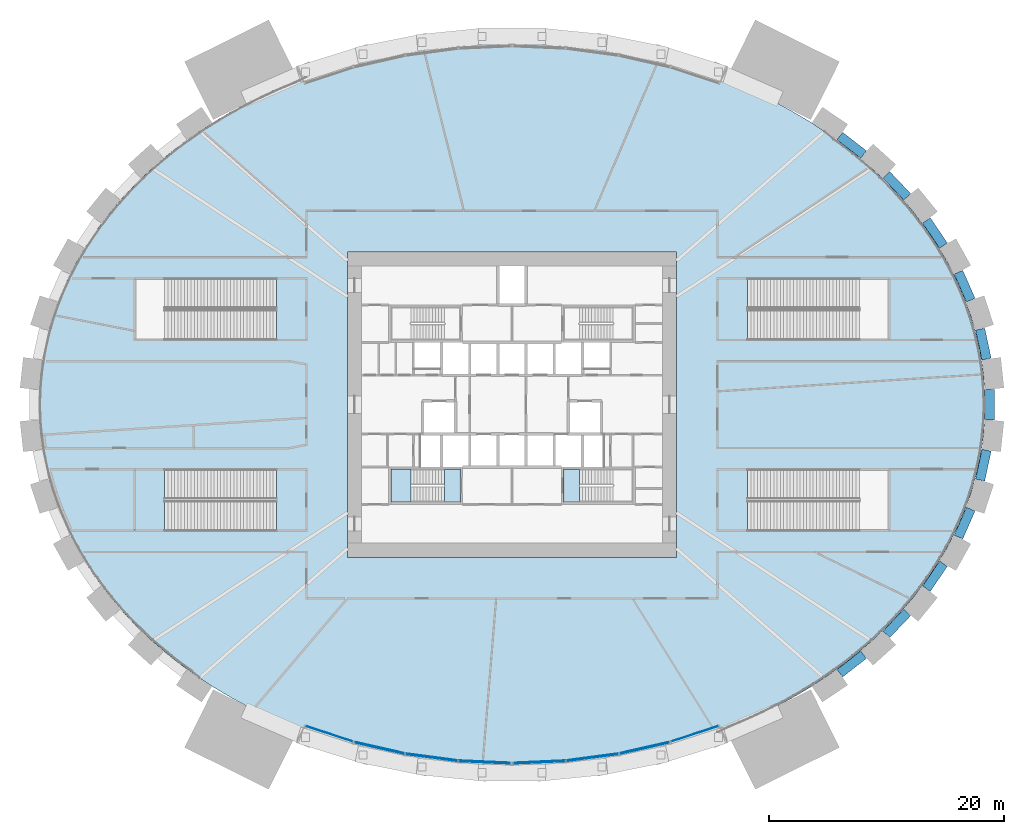
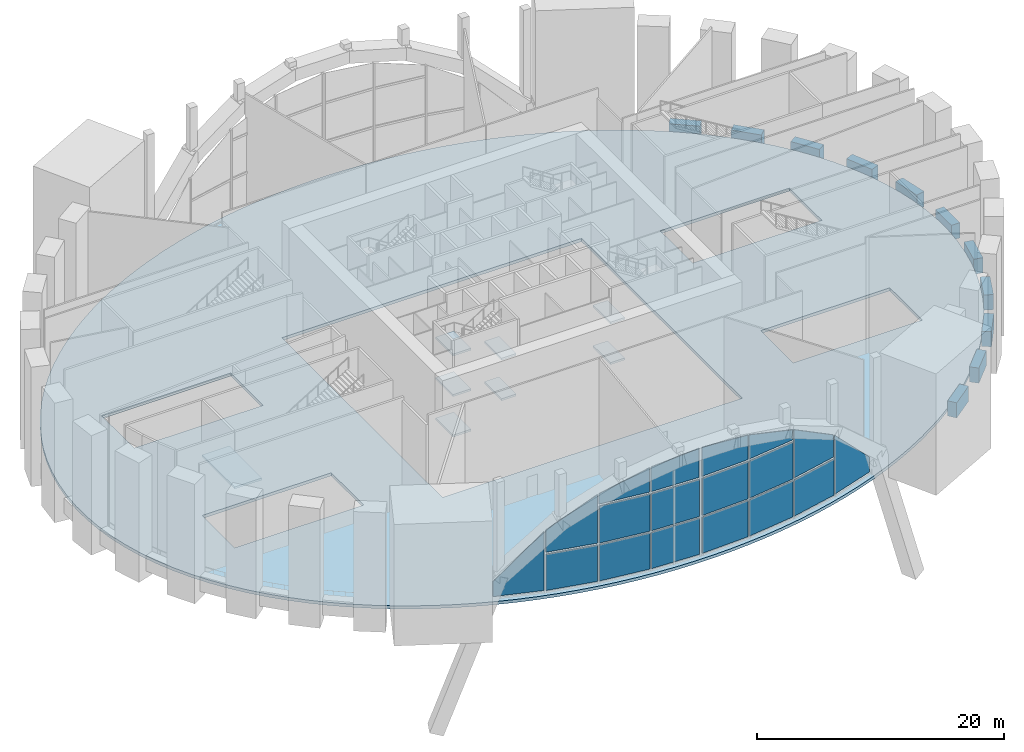
# One storey, part 5 of 21: 18 plates, 11 beams, 9 slabs, 5 elements without a shape of their own.
"""IFC4 building model written with IfcOpenShell, lengths in metres."""

from ifc_helpers import new_model, si_unit, direction, frame, origin, origin_2d, place, context, subcontext, project, spatial, polyline, rectangle, outline, extrude, source, transform, mapped, material, layer, layer_set, material_profile, profile_set, type_object, element, aggregate, save


model = new_model("IFC4")

# Units and contexts
model_context = context("Model", 3, precision=1e-05, world=origin(), true_north=direction((0.0, 1.0)))
body_context = subcontext(model_context, "Body", "Model", "MODEL_VIEW")
ifc_project = project(units=[si_unit("LENGTHUNIT", "METRE"), si_unit("AREAUNIT", "SQUARE_METRE"), si_unit("VOLUMEUNIT", "CUBIC_METRE"), si_unit("PLANEANGLEUNIT", "RADIAN"), si_unit("MASSUNIT", "GRAM", prefix="KILO")], contexts=[model_context])

# Site, building, storey
site_placement = place(None, origin())
site = spatial("IfcSite", under=ifc_project, at=site_placement, CompositionType="ELEMENT")
building_placement = place(site_placement, origin())
building = spatial("IfcBuilding", under=site, at=building_placement, Name="Embergate Tower", CompositionType="ELEMENT")
storey_placement = place(building_placement, frame((0.0, 0.0, 12.0)))
storey = spatial("IfcBuildingStorey", under=building, at=storey_placement, Name="L01", CompositionType="ELEMENT", Elevation=12.0)

# Beams
ifc_material_1 = material(Name="Concrete C70", Category="concrete")
ifc_material_profile = material_profile(ifc_material_1, rectangle(XDim=0.800048828125, YDim=1.5, at=origin_2d()), Name="RC 800x1500")
ifc_profile_set = profile_set([ifc_material_profile], Name="Concrete C70")
beam_type = type_object("IfcBeamType", Name="Spandrel beam RC 800x1500 C70", PredefinedType="BEAM", material=ifc_profile_set)
shared_shape_1 = source(origin(), body_context, "Body", "SweptSolid", [
    extrude(rectangle(XDim=0.800048828125, YDim=1.5, at=origin_2d()), origin(), (0.0, 0.0, 1.0), 2.59716796875),
])
for number, where, z_axis, x_axis, name in (
    (1, (40.407958984375, 3.885009765625, 0.0), (-0.210196709523, 0.977659114061, 0.0), (-0.977659114061, -0.210196709523, 0.0), "SPN-L01-00"),
    (2, (39.862060546875, -6.424072265625, 0.0), (0.210196709523, 0.977659114061, 0.0), (-0.977659114061, 0.210196709523, 0.0), "SPN-L01-42"),
):
    element("IfcBeam", number, at=place(storey_placement, frame(where, z_axis=z_axis, x_axis=x_axis)), inside=storey, type_object=beam_type, Name=name, PredefinedType="BEAM", context=body_context, shape_type="MappedRepresentation", body=[
        mapped(shared_shape_1, transform((0.0, 0.0, 0.0))),
    ])
shared_shape_2 = source(origin(), body_context, "Body", "SweptSolid", [
    extrude(rectangle(XDim=0.800048828125, YDim=1.5, at=origin_2d()), origin(), (0.0, 0.0, 1.0), 2.594482421875),
])
for number, where, z_axis, x_axis, name in (
    (3, (39.06201171875, 8.89794921875, 0.0), (-0.401628265127, 0.915802782618, 0.0), (-0.915802782618, -0.401628265127, 0.0), "SPN-L01-01"),
    (4, (38.02001953125, -11.27392578125, 0.0), (0.401628265127, 0.915802782618, 0.0), (-0.915802782618, 0.401628265127, 0.0), "SPN-L01-41"),
):
    element("IfcBeam", number, at=place(storey_placement, frame(where, z_axis=z_axis, x_axis=x_axis)), inside=storey, type_object=beam_type, Name=name, PredefinedType="BEAM", context=body_context, shape_type="MappedRepresentation", body=[
        mapped(shared_shape_2, transform((0.0, 0.0, 0.0))),
    ])
shared_shape_3 = source(origin(), body_context, "Body", "SweptSolid", [
    extrude(rectangle(XDim=0.800048828125, YDim=1.5, at=origin_2d()), origin(), (0.0, 0.0, 1.0), 2.583251953125),
])
for number, where, z_axis, x_axis, name in (
    (5, (36.743896484375, 13.5390625, 0.0), (-0.562418587306, 0.826852666836, 0.0), (-0.826852666836, -0.562418587306, 0.0), "SPN-L01-02"),
    (6, (35.291015625, -15.675048828125, 0.0), (0.562418587306, 0.826852666836, 0.0), (-0.826852666836, 0.562418587306, 0.0), "SPN-L01-40"),
):
    element("IfcBeam", number, at=place(storey_placement, frame(where, z_axis=z_axis, x_axis=x_axis)), inside=storey, type_object=beam_type, Name=name, PredefinedType="BEAM", context=body_context, shape_type="MappedRepresentation", body=[
        mapped(shared_shape_3, transform((0.0, 0.0, 0.0))),
    ])
shared_shape_4 = source(origin(), body_context, "Body", "SweptSolid", [
    extrude(rectangle(XDim=0.800048828125, YDim=1.5, at=origin_2d()), origin(), (0.0, 0.0, 1.0), 2.577392578125),
])
for number, where, z_axis, x_axis, name in (
    (7, (33.656982421875, 17.697021484375, 0.0), (-0.68985145899, 0.723950940692, 0.0), (-0.723950940692, -0.68985145899, 0.0), "SPN-L01-03"),
    (8, (31.87890625, -19.56298828125, 0.0), (0.68985145899, 0.723950940692, 0.0), (-0.723950940692, 0.68985145899, 0.0), "SPN-L01-39"),
):
    element("IfcBeam", number, at=place(storey_placement, frame(where, z_axis=z_axis, x_axis=x_axis)), inside=storey, type_object=beam_type, Name=name, PredefinedType="BEAM", context=body_context, shape_type="MappedRepresentation", body=[
        mapped(shared_shape_4, transform((0.0, 0.0, 0.0))),
    ])
shared_shape_5 = source(origin(), body_context, "Body", "SweptSolid", [
    extrude(rectangle(XDim=0.800048828125, YDim=1.5, at=origin_2d()), origin(), (0.0, 0.0, 1.0), 2.568359375),
])
for number, where, z_axis, x_axis, name in (
    (9, (29.93798828125, 21.29296875, 0.0), (-0.788378750505, 0.615190170396, 0.0), (-0.615190170396, -0.788378750505, 0.0), "SPN-L01-04"),
    (10, (27.9130859375, -22.873046875, 0.0), (0.788378750505, 0.615190170396, 0.0), (-0.615190170396, 0.788378750505, 0.0), "SPN-L01-38"),
):
    element("IfcBeam", number, at=place(storey_placement, frame(where, z_axis=z_axis, x_axis=x_axis)), inside=storey, type_object=beam_type, Name=name, PredefinedType="BEAM", context=body_context, shape_type="MappedRepresentation", body=[
        mapped(shared_shape_5, transform((0.0, 0.0, 0.0))),
    ])
shared_shape_6 = source(origin(), body_context, "Body", "SweptSolid", [
    extrude(rectangle(XDim=0.800048828125, YDim=1.5, at=origin_2d()), origin(), (0.0, 0.0, 1.0), 2.60400390625),
])
beam_placement = place(storey_placement, frame((40.7041015625, -1.302001953125, 0.0), z_axis=(0.0, 1.0, 0.0), x_axis=(-1.0, 0.0, 0.0)))
element("IfcBeam", 11, at=beam_placement, inside=storey, type_object=beam_type, Name="SPN-L01-43", PredefinedType="BEAM", context=body_context, shape_type="MappedRepresentation", body=[
    mapped(shared_shape_6, transform((0.0, 0.0, 0.0))),
])

# Slab
ifc_material_2 = material(Name="Concrete C50", Category="concrete")
ifc_layer_1 = layer(ifc_material_2, 0.300048828125)
ifc_layer_set_1 = layer_set([ifc_layer_1], Name="Concrete C50")
slab_type_1 = type_object("IfcSlabType", Name="Podium floor slab C50 300", PredefinedType="FLOOR", material=ifc_layer_set_1)
shared_shape_7 = source(origin(), body_context, "Body", "SweptSolid", [
    extrude(outline(polyline([(0.0, 0.0), (1.7041015625, 0.0), (3.406982421875, 0.054931640625), (5.111083984375, 0.1669921875), (6.80810546875, 0.3330078125), (8.4931640625, 0.554931640625), (10.18115234375, 0.8349609375), (11.85302734375, 1.169921875), (13.504150390625, 1.559814453125), (15.157958984375, 2.011962890625), (16.78515625, 2.518798828125), (18.383056640625, 3.079833984375), (19.98193359375, 3.7080078125), (21.5439453125, 4.390869140625), (23.06396484375, 5.126953125), (24.5830078125, 5.93798828125), (26.052978515625, 6.802001953125), (27.468994140625, 7.7158203125), (28.875, 8.71484375), (30.218017578125, 9.762939453125), (31.49609375, 10.85888671875), (32.7490234375, 12.0458984375), (33.925048828125, 13.27880859375), (35.02001953125, 14.555908203125), (36.071044921875, 15.9248046875), (37.029052734375, 17.3330078125), (37.89208984375, 18.77783203125), (38.68212890625, 20.306884765625), (39.365966796875, 21.866943359375), (39.942138671875, 23.452880859375), (40.4169921875, 25.099853515625), (40.775146484375, 26.763916015625), (41.01513671875, 28.44189453125), (41.136962890625, 30.141845703125), (41.136962890625, 31.843994140625), (41.01513671875, 33.5439453125), (40.775146484375, 35.221923828125), (40.4169921875, 36.885986328125), (39.942138671875, 38.532958984375), (39.365966796875, 40.118896484375), (38.68212890625, 41.678955078125), (37.89208984375, 43.2080078125), (37.029052734375, 44.65283203125), (36.071044921875, 46.06103515625), (35.02001953125, 47.429931640625), (33.925048828125, 48.70703125), (32.7490234375, 49.93994140625), (31.49609375, 51.126953125), (30.218017578125, 52.222900390625), (28.875, 53.27099609375), (27.468994140625, 54.27001953125), (26.052978515625, 55.183837890625), (24.5830078125, 56.0478515625), (23.06396484375, 56.85888671875), (21.5439453125, 57.594970703125), (19.98193359375, 58.27783203125), (18.383056640625, 58.906005859375), (16.78515625, 59.467041015625), (15.157958984375, 59.973876953125), (13.504150390625, 60.426025390625), (11.85302734375, 60.81591796875), (10.18115234375, 61.15087890625), (8.4931640625, 61.430908203125), (6.80810546875, 61.65283203125), (5.111083984375, 61.81884765625), (3.406982421875, 61.930908203125), (1.7041015625, 61.98583984375), (0.0, 61.98583984375), (-1.702880859375, 61.930908203125), (-3.406982421875, 61.81884765625), (-5.10400390625, 61.65283203125), (-6.7890625, 61.430908203125), (-8.47705078125, 61.15087890625), (-10.14892578125, 60.81591796875), (-11.800048828125, 60.426025390625), (-13.453857421875, 59.973876953125), (-15.0810546875, 59.467041015625), (-16.678955078125, 58.906005859375), (-18.27783203125, 58.27783203125), (-19.83984375, 57.594970703125), (-21.35986328125, 56.85888671875), (-22.87890625, 56.0478515625), (-24.348876953125, 55.183837890625), (-25.764892578125, 54.27001953125), (-27.1708984375, 53.27099609375), (-28.513916015625, 52.222900390625), (-29.7919921875, 51.126953125), (-31.044921875, 49.93994140625), (-32.220947265625, 48.70703125), (-33.31591796875, 47.429931640625), (-34.366943359375, 46.06103515625), (-35.324951171875, 44.65283203125), (-36.18798828125, 43.2080078125), (-36.97802734375, 41.678955078125), (-37.661865234375, 40.118896484375), (-38.238037109375, 38.532958984375), (-38.712890625, 36.885986328125), (-39.071044921875, 35.221923828125), (-39.31103515625, 33.5439453125), (-39.432861328125, 31.843994140625), (-39.432861328125, 30.141845703125), (-39.31103515625, 28.44189453125), (-39.071044921875, 26.763916015625), (-38.712890625, 25.099853515625), (-38.238037109375, 23.452880859375), (-37.661865234375, 21.866943359375), (-36.97802734375, 20.306884765625), (-36.18798828125, 18.77783203125), (-35.324951171875, 17.3330078125), (-34.366943359375, 15.9248046875), (-33.31591796875, 14.555908203125), (-32.220947265625, 13.27880859375), (-31.044921875, 12.0458984375), (-29.7919921875, 10.85888671875), (-28.513916015625, 9.762939453125), (-27.1708984375, 8.71484375), (-25.764892578125, 7.7158203125), (-24.348876953125, 6.802001953125), (-22.87890625, 5.93798828125), (-21.35986328125, 5.126953125), (-19.83984375, 4.390869140625), (-18.27783203125, 3.7080078125), (-16.678955078125, 3.079833984375), (-15.0810546875, 2.518798828125), (-13.453857421875, 2.011962890625), (-11.800048828125, 1.559814453125), (-10.14892578125, 1.169921875), (-8.47705078125, 0.8349609375), (-6.7890625, 0.554931640625), (-5.10400390625, 0.3330078125), (-3.406982421875, 0.1669921875), (-1.702880859375, 0.054931640625), (0.0, 0.0)]), holes=[polyline([(-13.14794921875, 17.992919921875), (-13.14794921875, 43.992919921875), (14.85205078125, 43.992919921875), (14.85205078125, 17.992919921875), (-13.14794921875, 17.992919921875)]), polyline([(-31.26806640625, 20.242919921875), (-31.26806640625, 25.492919921875), (-19.2080078125, 25.492919921875), (-19.2080078125, 20.242919921875), (-31.26806640625, 20.242919921875)]), polyline([(20.912109375, 20.242919921875), (20.912109375, 25.492919921875), (32.97216796875, 25.492919921875), (32.97216796875, 20.242919921875), (20.912109375, 20.242919921875)]), polyline([(-31.26806640625, 36.492919921875), (-31.26806640625, 41.742919921875), (-19.2080078125, 41.742919921875), (-19.2080078125, 36.492919921875), (-31.26806640625, 36.492919921875)]), polyline([(20.912109375, 36.492919921875), (20.912109375, 41.742919921875), (32.97216796875, 41.742919921875), (32.97216796875, 36.492919921875), (20.912109375, 36.492919921875)])]), origin(), (0.0, 0.0, 1.0), 0.300048828125),
])
slab_1_placement = place(storey_placement, frame((-0.85205078125, -30.992919921875, -0.300048828125)))
element("IfcSlab", 12, at=slab_1_placement, inside=storey, type_object=slab_type_1, Name="SLB-L01-00", PredefinedType="FLOOR", context=body_context, shape_type="MappedRepresentation", body=[
    mapped(shared_shape_7, transform((0.0, 0.0, 0.0))),
])

# Curtain wall, plates
ifc_material_3 = material(Name="Aluminium and glass", Category="aluminium")
curtain_wall_type = type_object("IfcCurtainWallType", Name="Portal infill glazing", PredefinedType="NOTDEFINED", material=ifc_material_3)
curtain_wall_1_placement = place(storey_placement, origin())
curtain_wall_1 = element("IfcCurtainWall", 13, at=curtain_wall_1_placement, inside=storey, type_object=curtain_wall_type, Name="Portal infill glazing S 1", ObjectType="PORTAL INFILL GLAZING", PredefinedType="USERDEFINED")
ifc_material_4 = material(Name="Triple glazing, low-emissivity coating", Category="glass")
ifc_layer_2 = layer(ifc_material_4, 0.0458984375)
ifc_layer_set_2 = layer_set([ifc_layer_2], Name="Triple glazing, low-emissivity coating")
plate_type = type_object("IfcPlateType", Name="Portal glazing unit", PredefinedType="CURTAIN_PANEL", material=ifc_layer_set_2)
shared_shape_8 = source(origin(), body_context, "Body", "SweptSolid", [
    extrude(outline(polyline([(0.0, 0.0), (4.230712890625, 0.0), (4.230712890625, 5.82861328125), (0.0, 1.468994140625), (0.0, 0.0)])), origin(), (0.0, 0.0, -1.0), 0.0458984375),
])
plate_1_placement = place(storey_placement, frame((-17.584716796875, -27.391845703125, 0.179931640625), z_axis=(-0.311046642239, -0.950394647687, 0.0), x_axis=(0.950394647687, -0.311046642239, 0.0)))
plate_1 = element("IfcPlate", 14, at=plate_1_placement, type_object=plate_type, Name="CW panel 1.1", PredefinedType="CURTAIN_PANEL", context=body_context, shape_type="MappedRepresentation", body=[
    mapped(shared_shape_8, transform((0.0, 0.0, 0.0))),
])
shared_shape_9 = source(origin(), body_context, "Body", "SweptSolid", [
    extrude(rectangle(XDim=4.37255859375, YDim=0.0458984375, at=origin_2d()), origin(), (0.0, 0.0, 1.0), 3.563232421875),
])
plate_2_placement = place(storey_placement, frame((-11.304443359375, -29.25146484375, 0.18017578125), z_axis=(0.0, 0.0, 1.0), x_axis=(0.975124214151, -0.221659123379, 0.0)))
plate_2 = element("IfcPlate", 15, at=plate_2_placement, type_object=plate_type, Name="CW panel 2.1", PredefinedType="CURTAIN_PANEL", context=body_context, shape_type="MappedRepresentation", body=[
    mapped(shared_shape_9, transform((0.0, 0.0, 0.0))),
])

# Curtain wall, plate
curtain_wall_2_placement = place(storey_placement, origin())
curtain_wall_2 = element("IfcCurtainWall", 16, at=curtain_wall_2_placement, inside=storey, type_object=curtain_wall_type, Name="Portal infill glazing S 2", ObjectType="PORTAL INFILL GLAZING", PredefinedType="USERDEFINED")
plate_3_placement = place(storey_placement, frame((11.304443359375, -29.25146484375, 0.18017578125), z_axis=(0.0, 0.0, 1.0), x_axis=(0.975124214151, 0.221659123379, 0.0)))
plate_3 = element("IfcPlate", 17, at=plate_3_placement, type_object=plate_type, Name="CW panel 3.1", PredefinedType="CURTAIN_PANEL", context=body_context, shape_type="MappedRepresentation", body=[
    mapped(shared_shape_9, transform((0.0, 0.0, 0.0))),
])

# Plate
shared_shape_10 = source(origin(), body_context, "Body", "SweptSolid", [
    extrude(outline(polyline([(0.0, 0.0), (4.372802734375, 0.0), (4.372802734375, 4.783447265625), (0.0, 2.187255859375), (0.0, 0.0)])), origin(), (0.0, 0.0, -1.0), 0.0458984375),
])
plate_4_placement = place(storey_placement, frame((-13.431396484375, -28.744384765625, 3.92333984375), z_axis=(-0.221657301696, -0.975124628242, 0.0), x_axis=(0.975124628242, -0.221657301696, 0.0)))
plate_4 = element("IfcPlate", 18, at=plate_4_placement, type_object=plate_type, Name="CW panel 2.2", PredefinedType="CURTAIN_PANEL", context=body_context, shape_type="MappedRepresentation", body=[
    mapped(shared_shape_10, transform((0.0, 0.0, 0.0))),
])

shared_shape_11 = source(origin(), body_context, "Body", "SweptSolid", [
    extrude(rectangle(XDim=4.422119140625, YDim=0.0458984375, at=origin_2d()), origin(), (0.0, 0.0, 1.0), 3.563232421875),
])
plate_5_placement = place(storey_placement, frame((-6.843505859375, -30.054443359375, 0.18017578125), z_axis=(0.0, 0.0, 1.0), x_axis=(0.991148472313, -0.132758072563, 0.0)))
plate_5 = element("IfcPlate", 19, at=plate_5_placement, type_object=plate_type, Name="CW panel 3.1", PredefinedType="CURTAIN_PANEL", context=body_context, shape_type="MappedRepresentation", body=[
    mapped(shared_shape_11, transform((0.0, 0.0, 0.0))),
])

plate_6_placement = place(storey_placement, frame((6.843505859375, -30.054443359375, 0.18017578125), z_axis=(0.0, 0.0, 1.0), x_axis=(0.991148472313, 0.132758072563, 0.0)))
plate_6 = element("IfcPlate", 20, at=plate_6_placement, type_object=plate_type, Name="CW panel 2.1", PredefinedType="CURTAIN_PANEL", context=body_context, shape_type="MappedRepresentation", body=[
    mapped(shared_shape_11, transform((0.0, 0.0, 0.0))),
])

shared_shape_12 = source(origin(), body_context, "Body", "SweptSolid", [
    extrude(rectangle(XDim=4.422119140625, YDim=0.0458984375, at=origin_2d()), origin(), (0.0, 0.0, 1.0), 3.6533203125),
])
plate_7_placement = place(storey_placement, frame((-6.843505859375, -30.054443359375, 3.92333984375), z_axis=(0.0, 0.0, 1.0), x_axis=(0.991148472313, -0.132758072563, 0.0)))
plate_7 = element("IfcPlate", 21, at=plate_7_placement, type_object=plate_type, Name="CW panel 3.2", PredefinedType="CURTAIN_PANEL", context=body_context, shape_type="MappedRepresentation", body=[
    mapped(shared_shape_12, transform((0.0, 0.0, 0.0))),
])

plate_8_placement = place(storey_placement, frame((6.843505859375, -30.054443359375, 3.92333984375), z_axis=(0.0, 0.0, 1.0), x_axis=(0.991148472313, 0.132758072563, 0.0)))
plate_8 = element("IfcPlate", 22, at=plate_8_placement, type_object=plate_type, Name="CW panel 2.2", PredefinedType="CURTAIN_PANEL", context=body_context, shape_type="MappedRepresentation", body=[
    mapped(shared_shape_12, transform((0.0, 0.0, 0.0))),
])

shared_shape_13 = source(origin(), body_context, "Body", "SweptSolid", [
    extrude(outline(polyline([(0.0, 0.0), (4.422119140625, 0.0), (4.422119140625, 2.38671875), (0.0, 1.00439453125), (0.0, 0.0)])), origin(), (0.0, 0.0, -1.0), 0.0458984375),
])
plate_9_placement = place(storey_placement, frame((-9.031982421875, -29.738037109375, 7.756591796875), z_axis=(-0.13277483845, -0.991146226485, 0.0), x_axis=(0.991146226485, -0.13277483845, 0.0)))
plate_9 = element("IfcPlate", 23, at=plate_9_placement, type_object=plate_type, Name="CW panel 3.3", PredefinedType="CURTAIN_PANEL", context=body_context, shape_type="MappedRepresentation", body=[
    mapped(shared_shape_13, transform((0.0, 0.0, 0.0))),
])

shared_shape_14 = source(origin(), body_context, "Body", "SweptSolid", [
    extrude(rectangle(XDim=4.377197265625, YDim=0.0458984375, at=origin_2d()), origin(), (0.0, 0.0, 1.0), 3.563232421875),
])
plate_10_placement = place(storey_placement, frame((-2.326416015625, -30.45703125, 0.18017578125), z_axis=(0.0, 0.0, 1.0), x_axis=(0.99902223858, -0.044210483177, 0.0)))
plate_10 = element("IfcPlate", 24, at=plate_10_placement, type_object=plate_type, Name="CW panel 4.1", PredefinedType="CURTAIN_PANEL", context=body_context, shape_type="MappedRepresentation", body=[
    mapped(shared_shape_14, transform((0.0, 0.0, 0.0))),
])

plate_11_placement = place(storey_placement, frame((2.326416015625, -30.45703125, 0.18017578125), z_axis=(0.0, 0.0, 1.0), x_axis=(0.99902223858, 0.044210483177, 0.0)))
plate_11 = element("IfcPlate", 25, at=plate_11_placement, type_object=plate_type, Name="CW panel 1.1", PredefinedType="CURTAIN_PANEL", context=body_context, shape_type="MappedRepresentation", body=[
    mapped(shared_shape_14, transform((0.0, 0.0, 0.0))),
])

shared_shape_15 = source(origin(), body_context, "Body", "SweptSolid", [
    extrude(rectangle(XDim=4.377197265625, YDim=0.0458984375, at=origin_2d()), origin(), (0.0, 0.0, 1.0), 3.6533203125),
])
plate_12_placement = place(storey_placement, frame((-2.326416015625, -30.45703125, 3.92333984375), z_axis=(0.0, 0.0, 1.0), x_axis=(0.99902223858, -0.044210483177, 0.0)))
plate_12 = element("IfcPlate", 26, at=plate_12_placement, type_object=plate_type, Name="CW panel 4.2", PredefinedType="CURTAIN_PANEL", context=body_context, shape_type="MappedRepresentation", body=[
    mapped(shared_shape_15, transform((0.0, 0.0, 0.0))),
])

plate_13_placement = place(storey_placement, frame((2.326416015625, -30.45703125, 3.92333984375), z_axis=(0.0, 0.0, 1.0), x_axis=(0.99902223858, 0.044210483177, 0.0)))
plate_13 = element("IfcPlate", 27, at=plate_13_placement, type_object=plate_type, Name="CW panel 1.2", PredefinedType="CURTAIN_PANEL", context=body_context, shape_type="MappedRepresentation", body=[
    mapped(shared_shape_15, transform((0.0, 0.0, 0.0))),
])

shared_shape_16 = source(origin(), body_context, "Body", "SweptSolid", [
    extrude(outline(polyline([(0.0, 0.0), (4.377197265625, 0.0), (4.377197265625, 2.8583984375), (0.0, 2.417724609375), (0.0, 0.0)])), origin(), (0.0, 0.0, -1.0), 0.0458984375),
])
plate_14_placement = place(storey_placement, frame((-4.51171875, -30.33740234375, 7.756591796875), z_axis=(-0.044175469804, -0.999023787438, 0.0), x_axis=(0.999023787438, -0.044175469804, 0.0)))
plate_14 = element("IfcPlate", 28, at=plate_14_placement, type_object=plate_type, Name="CW panel 4.3", PredefinedType="CURTAIN_PANEL", context=body_context, shape_type="MappedRepresentation", body=[
    mapped(shared_shape_16, transform((0.0, 0.0, 0.0))),
])

aggregate(curtain_wall_1, [plate_1, plate_2, plate_4, plate_5, plate_7, plate_9, plate_10, plate_12, plate_14])

shared_shape_17 = source(origin(), body_context, "Body", "SweptSolid", [
    extrude(outline(polyline([(0.0, 0.0), (4.377197265625, 0.0), (4.377197265625, 2.417724609375), (0.0, 2.8583984375), (0.0, 0.0)])), origin(), (0.0, 0.0, -1.0), 0.0458984375),
])
plate_15_placement = place(storey_placement, frame((0.138916015625, -30.53076171875, 7.756591796875), z_axis=(0.044175469804, -0.999023787438, 0.0), x_axis=(0.999023787438, 0.044175469804, 0.0)))
plate_15 = element("IfcPlate", 29, at=plate_15_placement, type_object=plate_type, Name="CW panel 1.3", PredefinedType="CURTAIN_PANEL", context=body_context, shape_type="MappedRepresentation", body=[
    mapped(shared_shape_17, transform((0.0, 0.0, 0.0))),
])

shared_shape_18 = source(origin(), body_context, "Body", "SweptSolid", [
    extrude(outline(polyline([(0.0, 0.0), (4.422119140625, 0.0), (4.422119140625, 1.00439453125), (0.0, 2.38671875), (0.0, 0.0)])), origin(), (0.0, 0.0, -1.0), 0.0458984375),
])
plate_16_placement = place(storey_placement, frame((4.64892578125, -30.3251953125, 7.756591796875), z_axis=(0.13277483845, -0.991146226485, 0.0), x_axis=(0.991146226485, 0.13277483845, 0.0)))
plate_16 = element("IfcPlate", 30, at=plate_16_placement, type_object=plate_type, Name="CW panel 2.3", PredefinedType="CURTAIN_PANEL", context=body_context, shape_type="MappedRepresentation", body=[
    mapped(shared_shape_18, transform((0.0, 0.0, 0.0))),
])

shared_shape_19 = source(origin(), body_context, "Body", "SweptSolid", [
    extrude(outline(polyline([(0.0, 0.0), (4.372802734375, 0.0), (4.372802734375, 2.187255859375), (0.0, 4.783447265625), (0.0, 0.0)])), origin(), (0.0, 0.0, -1.0), 0.0458984375),
])
plate_17_placement = place(storey_placement, frame((9.16748046875, -29.713623046875, 3.92333984375), z_axis=(0.221657301696, -0.975124628242, 0.0), x_axis=(0.975124628242, 0.221657301696, 0.0)))
plate_17 = element("IfcPlate", 31, at=plate_17_placement, type_object=plate_type, Name="CW panel 3.2", PredefinedType="CURTAIN_PANEL", context=body_context, shape_type="MappedRepresentation", body=[
    mapped(shared_shape_19, transform((0.0, 0.0, 0.0))),
])

shared_shape_20 = source(origin(), body_context, "Body", "SweptSolid", [
    extrude(outline(polyline([(0.0, 0.0), (4.230712890625, 0.0), (4.230712890625, 1.468994140625), (0.0, 5.82861328125), (0.0, 0.0)])), origin(), (0.0, 0.0, -1.0), 0.0458984375),
])
plate_18_placement = place(storey_placement, frame((13.56396484375, -28.707763671875, 0.179931640625), z_axis=(0.311046642239, -0.950394647687, 0.0), x_axis=(0.950394647687, 0.311046642239, 0.0)))
plate_18 = element("IfcPlate", 32, at=plate_18_placement, type_object=plate_type, Name="CW panel 4.1", PredefinedType="CURTAIN_PANEL", context=body_context, shape_type="MappedRepresentation", body=[
    mapped(shared_shape_20, transform((0.0, 0.0, 0.0))),
])

aggregate(curtain_wall_2, [plate_11, plate_13, plate_15, plate_6, plate_8, plate_16, plate_3, plate_17, plate_18])

# Stair, slabs
ifc_material_5 = material(Name="Exit stair")
stair_type_1 = type_object("IfcStairType", Name="Exit stair", PredefinedType="HALF_TURN_STAIR", material=ifc_material_5)
stair_1_placement = place(storey_placement, origin())
stair_1 = element("IfcStair", 33, at=stair_1_placement, inside=storey, type_object=stair_type_1, Name="L01 Exit stair 3", PredefinedType="HALF_TURN_STAIR")
ifc_material_6 = material(Name="Concrete C40", Category="concrete")
ifc_layer_3 = layer(ifc_material_6, 0.199951171875)
ifc_layer_set_3 = layer_set([ifc_layer_3], Name="Concrete C40")
slab_type_2 = type_object("IfcSlabType", Name="Stair landing reinforced concrete", PredefinedType="LANDING", material=ifc_layer_set_3)
shared_shape_21 = source(origin(), body_context, "Body", "SweptSolid", [
    extrude(outline(polyline([(0.0, 0.0), (1.68994140625, 0.0), (1.68994140625, 2.800048828125), (0.0, 2.800048828125), (0.0, 0.0)])), origin(), (0.0, 0.0, 1.0), 0.199951171875),
])
slab_2_placement = place(storey_placement, frame((-10.300048828125, -8.300048828125, 1.800048828125)))
slab_2 = element("IfcSlab", 34, at=slab_2_placement, type_object=slab_type_2, Name="ST3 landing 1", PredefinedType="LANDING", context=body_context, shape_type="MappedRepresentation", body=[
    mapped(shared_shape_21, transform((0.0, 0.0, 0.0))),
])
slab_3_placement = place(storey_placement, frame((-10.300048828125, -8.300048828125, 5.800048828125)))
slab_3 = element("IfcSlab", 35, at=slab_3_placement, type_object=slab_type_2, Name="ST3 landing 3", PredefinedType="LANDING", context=body_context, shape_type="MappedRepresentation", body=[
    mapped(shared_shape_21, transform((0.0, 0.0, 0.0))),
])
slab_4_placement = place(storey_placement, frame((-10.300048828125, -8.300048828125, 9.800048828125)))
slab_4 = element("IfcSlab", 36, at=slab_4_placement, type_object=slab_type_2, Name="ST3 landing 5", PredefinedType="LANDING", context=body_context, shape_type="MappedRepresentation", body=[
    mapped(shared_shape_21, transform((0.0, 0.0, 0.0))),
])
shared_shape_22 = source(origin(), body_context, "Body", "SweptSolid", [
    extrude(outline(polyline([(0.0, 0.0), (1.35009765625, 0.0), (1.35009765625, 2.800048828125), (0.0, 2.800048828125), (0.0, 0.0)])), origin(), (0.0, 0.0, 1.0), 0.199951171875),
])
slab_5_placement = place(storey_placement, frame((-5.75, -8.300048828125, 3.800048828125)))
slab_5 = element("IfcSlab", 37, at=slab_5_placement, type_object=slab_type_2, Name="ST3 landing 2", PredefinedType="LANDING", context=body_context, shape_type="MappedRepresentation", body=[
    mapped(shared_shape_22, transform((0.0, 0.0, 0.0))),
])
slab_6_placement = place(storey_placement, frame((-5.75, -8.300048828125, 7.800048828125)))
slab_6 = element("IfcSlab", 38, at=slab_6_placement, type_object=slab_type_2, Name="ST3 landing 4", PredefinedType="LANDING", context=body_context, shape_type="MappedRepresentation", body=[
    mapped(shared_shape_22, transform((0.0, 0.0, 0.0))),
])
aggregate(stair_1, [slab_2, slab_5, slab_3, slab_6, slab_4])

stair_2_placement = place(storey_placement, origin())
stair_2 = element("IfcStair", 39, at=stair_2_placement, inside=storey, type_object=stair_type_1, Name="L01 Exit stair 4", PredefinedType="HALF_TURN_STAIR")
slab_7_placement = place(storey_placement, frame((4.39990234375, -8.300048828125, 3.800048828125)))
slab_7 = element("IfcSlab", 40, at=slab_7_placement, type_object=slab_type_2, Name="ST4 landing 2", PredefinedType="LANDING", context=body_context, shape_type="MappedRepresentation", body=[
    mapped(shared_shape_22, transform((0.0, 0.0, 0.0))),
])
slab_8_placement = place(storey_placement, frame((4.39990234375, -8.300048828125, 7.800048828125)))
slab_8 = element("IfcSlab", 41, at=slab_8_placement, type_object=slab_type_2, Name="ST4 landing 4", PredefinedType="LANDING", context=body_context, shape_type="MappedRepresentation", body=[
    mapped(shared_shape_22, transform((0.0, 0.0, 0.0))),
])
aggregate(stair_2, [slab_7, slab_8])

# Stair, slab
stair_type_2 = type_object("IfcStairType", Name="Podium exit stair RC", PredefinedType="HALF_TURN_STAIR", material=ifc_material_6)
stair_3_placement = place(storey_placement, origin())
stair_3 = element("IfcStair", 42, at=stair_3_placement, inside=storey, type_object=stair_type_2, Name="L01 Podium exit stair 4", PredefinedType="HALF_TURN_STAIR")
ifc_layer_4 = layer(ifc_material_6, 0.199951171875)
ifc_layer_set_4 = layer_set([ifc_layer_4], Name="Concrete C40")
slab_type_3 = type_object("IfcSlabType", Name="Podium exit stair landing RC", PredefinedType="LANDING", material=ifc_layer_set_4)
shared_shape_23 = source(origin(), body_context, "Body", "SweptSolid", [
    extrude(outline(polyline([(0.0, 0.0), (2.550048828125, 0.0), (2.550048828125, 5.25), (0.0, 5.25), (0.0, 0.0)])), origin(), (0.0, 0.0, 1.0), 0.199951171875),
])
slab_9_placement = place(storey_placement, frame((-32.1201171875, -10.75, 5.800048828125)))
slab_9 = element("IfcSlab", 43, at=slab_9_placement, type_object=slab_type_3, Name="P4 landing 1", PredefinedType="LANDING", context=body_context, shape_type="MappedRepresentation", body=[
    mapped(shared_shape_23, transform((0.0, 0.0, 0.0))),
])
aggregate(stair_3, [slab_9])

save(model, "model.ifc")
